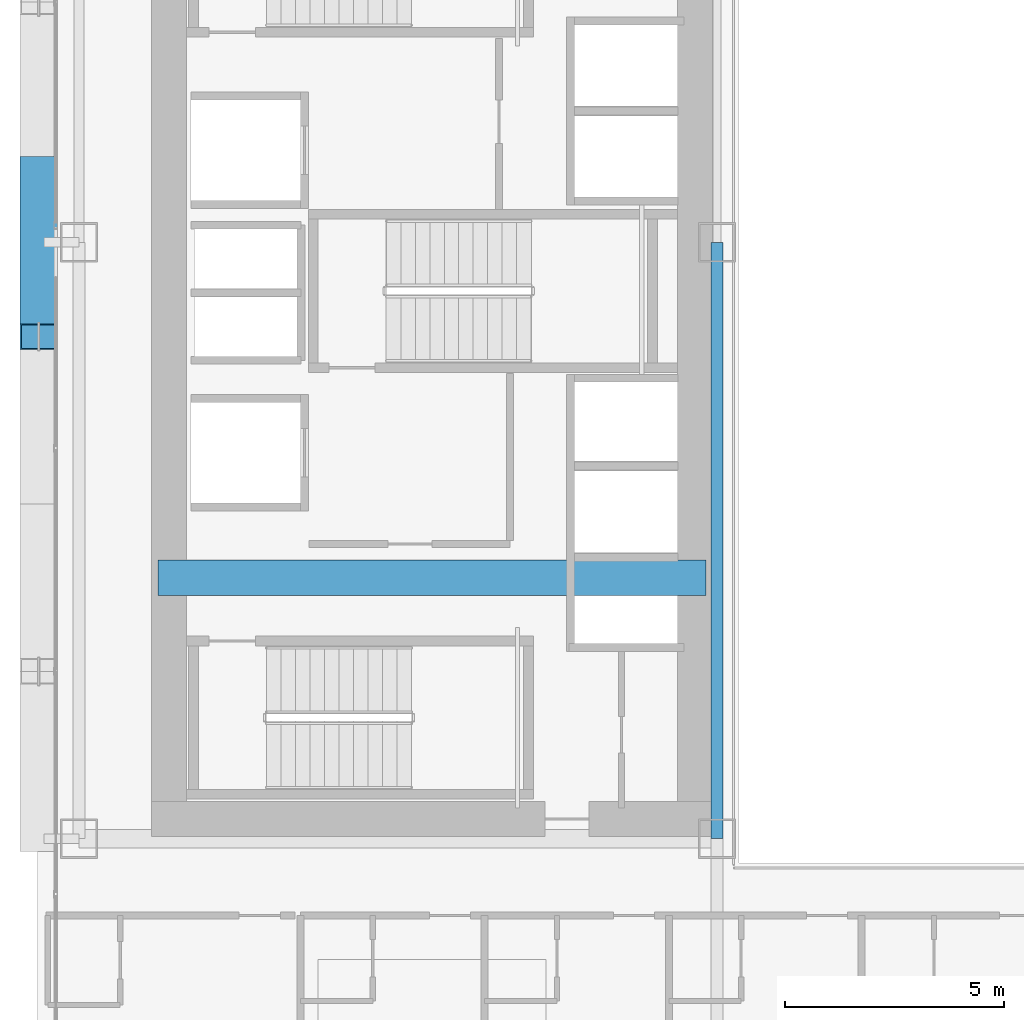
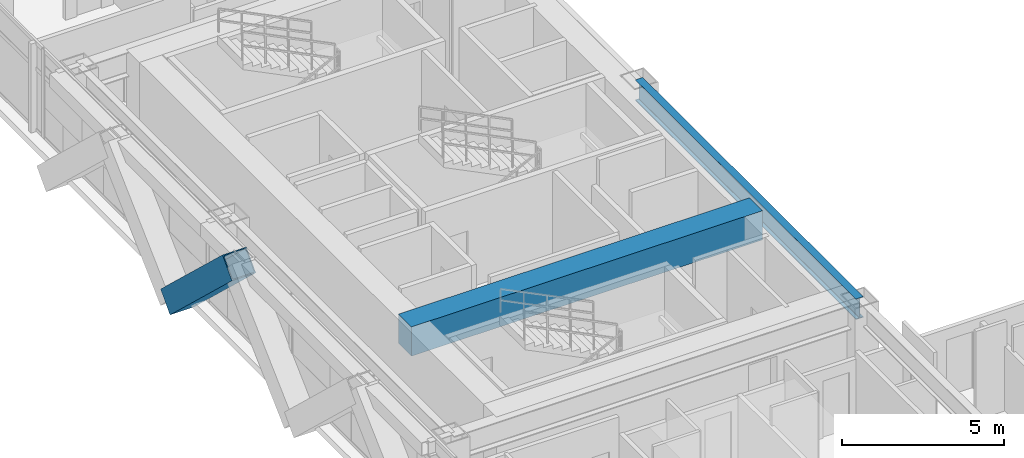
# One storey, part 7 of 36: 2 beams, 1 member.
"""IFC4 building model written with IfcOpenShell, lengths in metres."""

from ifc_helpers import new_model, si_unit, direction, frame, origin, origin_2d, place, context, subcontext, project, spatial, rectangle, hollow_rectangle, i_section, extrude, source, transform, mapped, material, material_profile, profile_set, type_object, element, save


model = new_model("IFC4")

# Units and contexts
model_context = context("Model", 3, precision=1e-05, world=origin(), true_north=direction((0.0, 1.0)))
body_context = subcontext(model_context, "Body", "Model", "MODEL_VIEW")
ifc_project = project(units=[si_unit("LENGTHUNIT", "METRE"), si_unit("AREAUNIT", "SQUARE_METRE"), si_unit("VOLUMEUNIT", "CUBIC_METRE"), si_unit("PLANEANGLEUNIT", "RADIAN"), si_unit("MASSUNIT", "GRAM", prefix="KILO")], contexts=[model_context])

# Site, building, storey
site_placement = place(None, origin())
site = spatial("IfcSite", under=ifc_project, at=site_placement, CompositionType="ELEMENT")
building_placement = place(site_placement, origin())
building = spatial("IfcBuilding", under=site, at=building_placement, Name="Ocotamira Hotel", CompositionType="ELEMENT")
storey_placement = place(building_placement, frame((0.0, 0.0, 42.0)))
storey = spatial("IfcBuildingStorey", under=building, at=storey_placement, Name="L09", CompositionType="ELEMENT", Elevation=42.0)

# Beams
ifc_material_1 = material(Name="Concrete C60/75", Category="concrete")
ifc_material_profile_1 = material_profile(ifc_material_1, rectangle(XDim=0.800048828125, YDim=1.10009765625, at=origin_2d()), Name="RC800X1100")
ifc_profile_set_1 = profile_set([ifc_material_profile_1], Name="Concrete C60/75")
beam_type_1 = type_object("IfcBeamType", Name="BM-LINK-RC800", PredefinedType="LINTEL", material=ifc_profile_set_1)
shared_shape_1 = source(origin(), body_context, "Body", "SweptSolid", [
    extrude(rectangle(XDim=0.800048828125, YDim=1.10009765625, at=origin_2d()), origin(), (0.0, 0.0, 1.0), 12.5),
])
beam_1_placement = place(storey_placement, frame((10.75, 20.5, 2.800048828125), z_axis=(1.0, 0.0, 0.0), x_axis=(0.0, 1.0, 0.0)))
element("IfcBeam", 1, at=beam_1_placement, inside=storey, type_object=beam_type_1, Name="L09 West Core Coupling Beam", PredefinedType="LINTEL", context=body_context, shape_type="MappedRepresentation", body=[
    mapped(shared_shape_1, transform((0.0, 0.0, 0.0), scale=1.0)),
])
ifc_material_2 = material(Name="Steel ASTM A992 Grade 50", Category="steel")
ifc_material_profile_2 = material_profile(ifc_material_2, i_section(OverallWidth=0.26611328125, OverallDepth=0.779052734375, WebThickness=0.0166015625, FlangeThickness=0.030029296875, FilletRadius=0.01806640625, at=origin_2d()), Name="W30X148")
ifc_profile_set_2 = profile_set([ifc_material_profile_2], Name="Steel ASTM A992 Grade 50")
beam_type_2 = type_object("IfcBeamType", Name="BM-GIRD-W30X148", PredefinedType="BEAM", material=ifc_profile_set_2)
shared_shape_2 = source(origin(), body_context, "Body", "SweptSolid", [
    extrude(i_section(OverallWidth=0.26611328125, OverallDepth=0.779052734375, WebThickness=0.0166015625, FlangeThickness=0.030029296875, FilletRadius=0.01806640625, at=origin_2d()), origin(), (0.0, 0.0, 1.0), 13.599853515625),
])
beam_2_placement = place(storey_placement, frame((23.5, 14.550048828125, 2.96044921875), z_axis=(0.0, 1.0, 0.0), x_axis=(-1.0, 0.0, 0.0)))
element("IfcBeam", 2, at=beam_2_placement, inside=storey, type_object=beam_type_2, Name="L09 Beam X23.5 Y14.55-28.15", PredefinedType="BEAM", context=body_context, shape_type="MappedRepresentation", body=[
    mapped(shared_shape_2, transform((0.0, 0.0, 0.0), scale=1.0)),
])

# Member
ifc_material_3 = material(Name="Pale-metal coated steel ASTM A913 Grade 65", Category="steel")
ifc_material_profile_3 = material_profile(ifc_material_3, hollow_rectangle(XDim=0.85009765625, YDim=0.85009765625, WallThickness=0.035888671875, at=origin_2d()), Name="BOX850X850X36")
ifc_profile_set_3 = profile_set([ifc_material_profile_3], Name="Pale-metal coated steel ASTM A913 Grade 65")
member_type = type_object("IfcMemberType", Name="MEM-EXO-BOX850", PredefinedType="BRACE", material=ifc_profile_set_3)
shared_shape_3 = source(origin(), body_context, "Body", "SweptSolid", [
    extrude(hollow_rectangle(XDim=0.85009765625, YDim=0.85009765625, WallThickness=0.035888671875, at=origin_2d()), origin(), (0.0, 0.0, 1.0), 5.24658203125),
])
member_placement = place(storey_placement, frame((8.030029296875, 29.816650390625, -0.5), z_axis=(0.0, -0.727442733726, 0.686168397078), x_axis=(1.0, 0.0, 0.0)))
element("IfcMember", 3, at=member_placement, inside=storey, type_object=member_type, Name="L09 Exoskeleton Diagrid W1.2", PredefinedType="BRACE", context=body_context, shape_type="MappedRepresentation", body=[
    mapped(shared_shape_3, transform((0.0, 0.0, 0.0), scale=1.0)),
])

save(model, "model.ifc")
